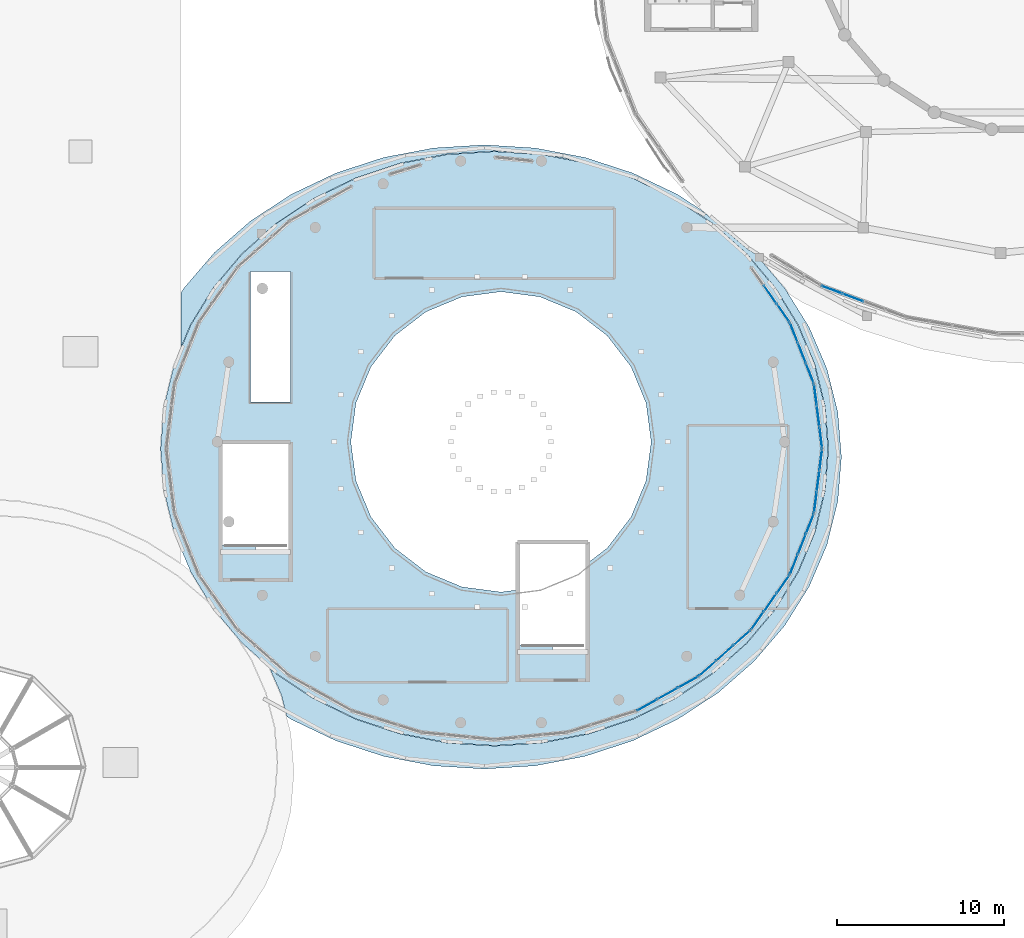
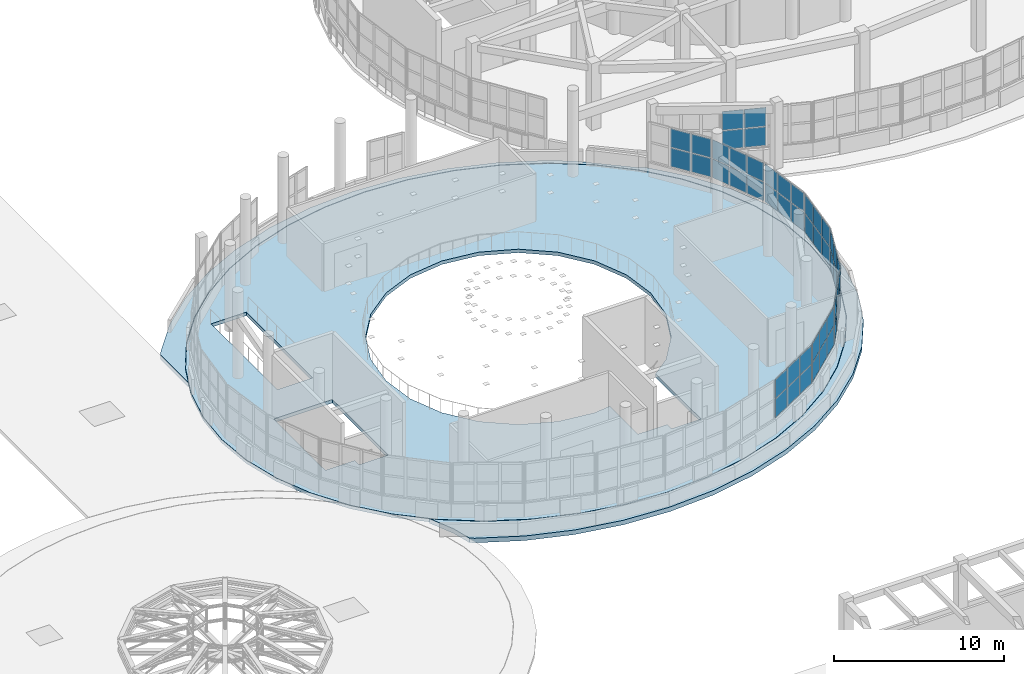
# One storey, part 71 of 105: 50 plates, 2 slabs, 9 elements without a shape of their own.
"""IFC4 building model written with IfcOpenShell, lengths in metres."""

import ifcopenshell
import ifcopenshell.guid

model = None  # the IFC model being written
_history = None  # IfcOwnerHistory: only IFC2X3 demands one
_inside = {}  # id of a spatial element -> (the spatial element, [elements in it])
_under = {}  # id of a project, library or spatial element -> (it, [spatial elements below it])
_declared = {}  # id of a project -> (the project, [libraries it declares])
_typed = {}  # id of a type object -> (the type object, [elements of that type])
_made_of = {}  # id of a material, layer set ... -> (it, [elements and type objects made of it])


def new_model(schema):
    """Start an empty IFC model of exactly this schema.

    Asked for "IFC4X3", IfcOpenShell would pick the latest addendum, in which some entities
    have other attributes; the version numbers below select the first issue.
    IFC2X3 requires an IfcOwnerHistory on every rooted entity: one is made here for all.
    """
    global model, _history
    if schema == "IFC4X3":
        model = ifcopenshell.file(schema_version=(4, 3, 0, 0))
    else:
        model = ifcopenshell.file(schema=schema)
    _inside.clear()
    _under.clear()
    _declared.clear()
    _typed.clear()
    _made_of.clear()
    _history = None
    if model.schema == "IFC2X3":
        org = make("IfcOrganization", Name="unknown")
        user = make(
            "IfcPersonAndOrganization",
            ThePerson=make("IfcPerson", FamilyName="unknown"),
            TheOrganization=org,
        )
        app = make(
            "IfcApplication",
            ApplicationDeveloper=org,
            Version="unknown",
            ApplicationFullName="unknown",
            ApplicationIdentifier="unknown",
        )
        _history = make(
            "IfcOwnerHistory",
            OwningUser=user,
            OwningApplication=app,
            ChangeAction="ADDED",
            CreationDate=0,
        )
    return model


def make(cls, **values):
    """One entity of the class cls with the attributes given. An attribute that is None is left unset."""
    return model.create_entity(
        cls, **{name: value for name, value in values.items() if value is not None}
    )


def rooted(cls, **values):
    """An entity with a GlobalId (a new one), such as an element, a storey or a relation."""
    return make(cls, GlobalId=ifcopenshell.guid.new(), OwnerHistory=_history, **values)


def si_unit(unit_type, name, prefix=None):
    """IfcSIUnit, for example si_unit("LENGTHUNIT", "METRE", prefix="MILLI")."""
    return make("IfcSIUnit", UnitType=unit_type, Prefix=prefix, Name=name)


def assignment(units):
    """IfcUnitAssignment: the units of a project."""
    return None if units is None else make("IfcUnitAssignment", Units=units)


def point(xyz):
    """IfcCartesianPoint."""
    return None if xyz is None else make("IfcCartesianPoint", Coordinates=xyz)


def direction(xyz):
    """IfcDirection."""
    return None if xyz is None else make("IfcDirection", DirectionRatios=xyz)


def frame(location, z_axis=None, x_axis=None):
    """IfcAxis2Placement3D, a coordinate frame: its origin and axes. An axis left out is left unset."""
    return make(
        "IfcAxis2Placement3D",
        Location=point(location),
        Axis=direction(z_axis),
        RefDirection=direction(x_axis),
    )


def frame_2d(location, x_axis=None):
    """IfcAxis2Placement2D, a coordinate frame in the plane: its origin and x axis."""
    return make(
        "IfcAxis2Placement2D", Location=point(location), RefDirection=direction(x_axis)
    )


def origin():
    """The frame at (0, 0, 0) with its axes left unset."""
    return frame((0.0, 0.0, 0.0))


def origin_2d():
    """The frame at (0, 0) in the plane with its x axis left unset."""
    return frame_2d((0.0, 0.0))


def place(relative_to, where):
    """IfcLocalPlacement: puts the frame where relative to a parent placement (None: the world)."""
    return make(
        "IfcLocalPlacement", PlacementRelTo=relative_to, RelativePlacement=where
    )


def context(
    kind, dimensions, precision=None, world=None, true_north=None, identifier=None
):
    """IfcGeometricRepresentationContext, for example the 3D "Model" context."""
    return make(
        "IfcGeometricRepresentationContext",
        ContextIdentifier=identifier,
        ContextType=kind,
        CoordinateSpaceDimension=dimensions,
        Precision=precision,
        WorldCoordinateSystem=world,
        TrueNorth=true_north,
    )


def subcontext(parent, identifier, kind, view, scale=None):
    """IfcGeometricRepresentationSubContext, for example "Body" below "Model"."""
    return make(
        "IfcGeometricRepresentationSubContext",
        ContextIdentifier=identifier,
        ContextType=kind,
        ParentContext=parent,
        TargetScale=scale,
        TargetView=view,
    )


def project(units=None, contexts=None):
    """IfcProject with its units and contexts."""
    return rooted(
        "IfcProject",
        Name="project",
        RepresentationContexts=contexts,
        UnitsInContext=assignment(units),
    )


def spatial(cls, under=None, at=None, **own):
    """A site, building, storey or space (cls), placed at a placement, below another one or the project."""
    s = rooted(cls, ObjectPlacement=at, **own)
    if under is not None:
        _under.setdefault(under.id(), (under, []))[1].append(s)
    return s


def polyline(points):
    """IfcPolyline through the points."""
    return make("IfcPolyline", Points=[point(p) for p in points])


def profile(cls, at=None, kind="AREA", **sizes):
    """A parametric profile (cls). Its sizes go by their IFC names, for example OverallWidth=200.0."""
    return make(cls, ProfileType=kind, Position=at, **sizes)


def rectangle(**sizes):
    """IfcRectangleProfileDef."""
    return profile("IfcRectangleProfileDef", **sizes)


def outline(outer, holes=None, kind="AREA"):
    """IfcArbitraryClosedProfileDef: a profile drawn as a closed curve; with holes, ...WithVoids."""
    if holes is None:
        return make("IfcArbitraryClosedProfileDef", ProfileType=kind, OuterCurve=outer)
    return make(
        "IfcArbitraryProfileDefWithVoids",
        ProfileType=kind,
        OuterCurve=outer,
        InnerCurves=holes,
    )


def extrude(swept, where, along, depth):
    """IfcExtrudedAreaSolid: the profile swept, set in the frame where, extruded along a direction by depth."""
    return make(
        "IfcExtrudedAreaSolid",
        SweptArea=swept,
        Position=where,
        ExtrudedDirection=direction(along),
        Depth=depth,
    )


def shape(context_of_items, identifier, shape_type, items):
    """IfcShapeRepresentation: the items that make up one representation, for example the "Body"."""
    return make(
        "IfcShapeRepresentation",
        ContextOfItems=context_of_items,
        RepresentationIdentifier=identifier,
        RepresentationType=shape_type,
        Items=items,
    )


def material(Name=None, Category=None):
    """IfcMaterial."""
    return make("IfcMaterial", Name=Name, Category=Category)


def layer(
    of_material, thickness, ventilated=None, Name=None, Category=None, Priority=None
):
    """IfcMaterialLayer: one layer of a wall or slab, of a material (None: an air gap)."""
    return make(
        "IfcMaterialLayer",
        Material=of_material,
        LayerThickness=thickness,
        IsVentilated=ventilated,
        Name=Name,
        Category=Category,
        Priority=Priority,
    )


def layer_set(layers, Name=None):
    """IfcMaterialLayerSet."""
    return make("IfcMaterialLayerSet", MaterialLayers=layers, LayerSetName=Name)


def made_of(thing, what):
    """Note that an element or type object is made of a material, layer set ...; save() writes the relation."""
    if what is not None:
        _made_of.setdefault(what.id(), (what, []))[1].append(thing)
    return thing


def type_object(cls, material=None, **own):
    """A type object (cls), such as IfcWallType, which elements share."""
    return made_of(rooted(cls, **own), material)


def element(
    cls,
    number,
    at=None,
    inside=None,
    cuts=None,
    type_object=None,
    material=None,
    context=None,
    identifier="Body",
    shape_type=None,
    held_by="IfcProductDefinitionShape",
    body=None,
    shapes=None,
    **own,
):
    """One element of the class cls, such as IfcWall. Its Tag is "e" and its number.

    at: its placement. inside: the storey or other place that contains it. cuts: it is an
    opening in that element (IfcRelVoidsElement). A single representation is given by context,
    identifier, shape_type and body (its items); several are given by shapes. held_by: the class
    of the entity that holds the representations. save() writes the other relations.
    """
    e = rooted(cls, Tag="e%d" % number, ObjectPlacement=at, **own)
    if body is not None:
        shapes = [shape(context, identifier, shape_type, body)]
    if shapes is not None:
        e.Representation = make(held_by, Representations=shapes)
    if inside is not None:
        _inside.setdefault(inside.id(), (inside, []))[1].append(e)
    if cuts is not None:
        rooted(
            "IfcRelVoidsElement", RelatingBuildingElement=cuts, RelatedOpeningElement=e
        )
    if type_object is not None:
        _typed.setdefault(type_object.id(), (type_object, []))[1].append(e)
    return made_of(e, material)


def aggregate(whole, parts):
    """IfcRelAggregates: a whole, such as a stair, and the parts it consists of."""
    return rooted("IfcRelAggregates", RelatingObject=whole, RelatedObjects=parts)


def save(model, path):
    """Write the relations noted so far, then the file.

    IfcRelAggregates (storeys below a building ...), IfcRelContainedInSpatialStructure (elements
    in a storey), IfcRelDefinesByType, IfcRelAssociatesMaterial and IfcRelDeclares: one each for
    every whole, place, type object, material and project.
    """
    for whole, parts in _under.values():
        aggregate(whole, parts)
    for where, things in _inside.values():
        rooted(
            "IfcRelContainedInSpatialStructure",
            RelatedElements=things,
            RelatingStructure=where,
        )
    for kind, things in _typed.values():
        rooted("IfcRelDefinesByType", RelatedObjects=things, RelatingType=kind)
    for what, things in _made_of.values():
        rooted("IfcRelAssociatesMaterial", RelatedObjects=things, RelatingMaterial=what)
    for by, libraries in _declared.values():
        rooted("IfcRelDeclares", RelatingContext=by, RelatedDefinitions=libraries)
    model.write(path)


model = new_model("IFC4")

# Units and contexts
model_context = context("Model", 3, precision=1e-05, world=origin(), true_north=direction((0.0, 1.0)))
body_context = subcontext(model_context, "Body", "Model", "MODEL_VIEW")
ifc_project = project(units=[si_unit("LENGTHUNIT", "METRE"), si_unit("AREAUNIT", "SQUARE_METRE"), si_unit("VOLUMEUNIT", "CUBIC_METRE"), si_unit("PLANEANGLEUNIT", "RADIAN"), si_unit("MASSUNIT", "GRAM", prefix="KILO")], contexts=[model_context])

# Site, building, storey
site_placement = place(None, origin())
site = spatial("IfcSite", under=ifc_project, at=site_placement, CompositionType="ELEMENT")
building_placement = place(site_placement, origin())
building = spatial("IfcBuilding", under=site, at=building_placement, Name="Pelvatis Terrace Science Centre", CompositionType="ELEMENT")
storey_placement = place(building_placement, frame((0.0, 0.0, 10.199951171875)))
storey = spatial("IfcBuildingStorey", under=building, at=storey_placement, Name="L02", CompositionType="ELEMENT", Elevation=10.199951171875)

# Curtain wall, plates
ifc_material_1 = material(Name="Bronze-anodised aluminium and laminated glass", Category="aluminium")
ifc_layer_1 = layer(ifc_material_1, 0.179931640625)
ifc_layer_set_1 = layer_set([ifc_layer_1], Name="Bronze-anodised aluminium and laminated glass")
curtain_wall_type = type_object("IfcCurtainWallType", Name="CW-RIBBON-A", PredefinedType="NOTDEFINED", material=ifc_layer_set_1)
curtain_wall_1_placement = place(storey_placement, origin())
curtain_wall_1 = element("IfcCurtainWall", 1, at=curtain_wall_1_placement, inside=storey, type_object=curtain_wall_type, Name="Ribbon curtain wall CW-077 (L02)", PredefinedType="NOTDEFINED")
ifc_material_2 = material(Name="Low-e laminated solar-control double glazing", Category="glass")
ifc_layer_2 = layer(ifc_material_2, 0.035888671875)
ifc_layer_set_2 = layer_set([ifc_layer_2], Name="Low-e laminated solar-control double glazing")
plate_type = type_object("IfcPlateType", Name="CWP-IGU-36", PredefinedType="CURTAIN_PANEL", material=ifc_layer_set_2)
plate_1_placement = place(storey_placement, frame((97.166015625, 54.862060546875, 1.080078125), z_axis=(0.0, 0.0, 1.0), x_axis=(-0.125877152665, 0.992045836863, 0.0)))
plate_1 = element("IfcPlate", 2, at=plate_1_placement, type_object=plate_type, Name="CW-077 panel 1.1", PredefinedType="CURTAIN_PANEL", context=body_context, shape_type="SweptSolid", body=[
    extrude(rectangle(XDim=1.214599609375, YDim=0.035888671875, at=origin_2d()), origin(), (0.0, 0.0, 1.0), 1.330078125),
])
plate_2_placement = place(storey_placement, frame((97.166015625, 54.862060546875, 2.469970703125), z_axis=(0.0, 0.0, 1.0), x_axis=(-0.125877152665, 0.992045836863, 0.0)))
plate_2 = element("IfcPlate", 3, at=plate_2_placement, type_object=plate_type, Name="CW-077 panel 1.2", PredefinedType="CURTAIN_PANEL", context=body_context, shape_type="SweptSolid", body=[
    extrude(rectangle(XDim=1.214599609375, YDim=0.035888671875, at=origin_2d()), origin(), (0.0, 0.0, 1.0), 1.330078125),
])
plate_3_placement = place(storey_placement, frame((97.003662109375, 56.1416015625, 1.080078125), z_axis=(0.0, 0.0, 1.0), x_axis=(-0.125877152665, 0.992045836863, 0.0)))
plate_3 = element("IfcPlate", 4, at=plate_3_placement, type_object=plate_type, Name="CW-077 panel 2.1", PredefinedType="CURTAIN_PANEL", context=body_context, shape_type="SweptSolid", body=[
    extrude(rectangle(XDim=1.24462890625, YDim=0.035888671875, at=origin_2d()), origin(), (0.0, 0.0, 1.0), 1.330078125),
])
plate_4_placement = place(storey_placement, frame((97.003662109375, 56.1416015625, 2.469970703125), z_axis=(0.0, 0.0, 1.0), x_axis=(-0.125877152665, 0.992045836863, 0.0)))
plate_4 = element("IfcPlate", 5, at=plate_4_placement, type_object=plate_type, Name="CW-077 panel 2.2", PredefinedType="CURTAIN_PANEL", context=body_context, shape_type="SweptSolid", body=[
    extrude(rectangle(XDim=1.24462890625, YDim=0.035888671875, at=origin_2d()), origin(), (0.0, 0.0, 1.0), 1.330078125),
])
plate_5_placement = place(storey_placement, frame((96.84130859375, 57.4208984375, 1.080078125), z_axis=(0.0, 0.0, 1.0), x_axis=(-0.125877152665, 0.992045836863, 0.0)))
plate_5 = element("IfcPlate", 6, at=plate_5_placement, type_object=plate_type, Name="CW-077 panel 3.1", PredefinedType="CURTAIN_PANEL", context=body_context, shape_type="SweptSolid", body=[
    extrude(rectangle(XDim=1.214599609375, YDim=0.035888671875, at=origin_2d()), origin(), (0.0, 0.0, 1.0), 1.330078125),
])
plate_6_placement = place(storey_placement, frame((96.84130859375, 57.4208984375, 2.469970703125), z_axis=(0.0, 0.0, 1.0), x_axis=(-0.125877152665, 0.992045836863, 0.0)))
plate_6 = element("IfcPlate", 7, at=plate_6_placement, type_object=plate_type, Name="CW-077 panel 3.2", PredefinedType="CURTAIN_PANEL", context=body_context, shape_type="SweptSolid", body=[
    extrude(rectangle(XDim=1.214599609375, YDim=0.035888671875, at=origin_2d()), origin(), (0.0, 0.0, 1.0), 1.330078125),
])
aggregate(curtain_wall_1, [plate_1, plate_2, plate_3, plate_4, plate_5, plate_6])

curtain_wall_2_placement = place(storey_placement, origin())
curtain_wall_2 = element("IfcCurtainWall", 8, at=curtain_wall_2_placement, inside=storey, type_object=curtain_wall_type, Name="Ribbon curtain wall CW-078 (L02)", PredefinedType="NOTDEFINED")
plate_7_placement = place(storey_placement, frame((96.509521484375, 58.711669921875, 1.080078125), z_axis=(0.0, 0.0, 1.0), x_axis=(-0.366597305287, 0.930379715899, 0.0)))
plate_7 = element("IfcPlate", 9, at=plate_7_placement, type_object=plate_type, Name="CW-078 panel 1.1", PredefinedType="CURTAIN_PANEL", context=body_context, shape_type="SweptSolid", body=[
    extrude(rectangle(XDim=1.2314453125, YDim=0.035888671875, at=origin_2d()), origin(), (0.0, 0.0, 1.0), 1.330078125),
])
plate_8_placement = place(storey_placement, frame((96.509521484375, 58.711669921875, 2.469970703125), z_axis=(0.0, 0.0, 1.0), x_axis=(-0.366597305287, 0.930379715899, 0.0)))
plate_8 = element("IfcPlate", 10, at=plate_8_placement, type_object=plate_type, Name="CW-078 panel 1.2", PredefinedType="CURTAIN_PANEL", context=body_context, shape_type="SweptSolid", body=[
    extrude(rectangle(XDim=1.2314453125, YDim=0.035888671875, at=origin_2d()), origin(), (0.0, 0.0, 1.0), 1.330078125),
])
plate_9_placement = place(storey_placement, frame((96.03076171875, 59.92724609375, 1.080078125), z_axis=(0.0, 0.0, 1.0), x_axis=(-0.366597305287, 0.930379715899, 0.0)))
plate_9 = element("IfcPlate", 11, at=plate_9_placement, type_object=plate_type, Name="CW-078 panel 2.1", PredefinedType="CURTAIN_PANEL", context=body_context, shape_type="SweptSolid", body=[
    extrude(rectangle(XDim=1.261474609375, YDim=0.035888671875, at=origin_2d()), origin(), (0.0, 0.0, 1.0), 1.330078125),
])
plate_10_placement = place(storey_placement, frame((96.03076171875, 59.92724609375, 2.469970703125), z_axis=(0.0, 0.0, 1.0), x_axis=(-0.366597305287, 0.930379715899, 0.0)))
plate_10 = element("IfcPlate", 12, at=plate_10_placement, type_object=plate_type, Name="CW-078 panel 2.2", PredefinedType="CURTAIN_PANEL", context=body_context, shape_type="SweptSolid", body=[
    extrude(rectangle(XDim=1.261474609375, YDim=0.035888671875, at=origin_2d()), origin(), (0.0, 0.0, 1.0), 1.330078125),
])
plate_11_placement = place(storey_placement, frame((95.5517578125, 61.142578125, 1.080078125), z_axis=(0.0, 0.0, 1.0), x_axis=(-0.366597305287, 0.930379715899, 0.0)))
plate_11 = element("IfcPlate", 13, at=plate_11_placement, type_object=plate_type, Name="CW-078 panel 3.1", PredefinedType="CURTAIN_PANEL", context=body_context, shape_type="SweptSolid", body=[
    extrude(rectangle(XDim=1.2314453125, YDim=0.035888671875, at=origin_2d()), origin(), (0.0, 0.0, 1.0), 1.330078125),
])
plate_12_placement = place(storey_placement, frame((95.5517578125, 61.142578125, 2.469970703125), z_axis=(0.0, 0.0, 1.0), x_axis=(-0.366597305287, 0.930379715899, 0.0)))
plate_12 = element("IfcPlate", 14, at=plate_12_placement, type_object=plate_type, Name="CW-078 panel 3.2", PredefinedType="CURTAIN_PANEL", context=body_context, shape_type="SweptSolid", body=[
    extrude(rectangle(XDim=1.2314453125, YDim=0.035888671875, at=origin_2d()), origin(), (0.0, 0.0, 1.0), 1.330078125),
])
aggregate(curtain_wall_2, [plate_7, plate_8, plate_9, plate_10, plate_11, plate_12])

curtain_wall_3_placement = place(storey_placement, origin())
curtain_wall_3 = element("IfcCurtainWall", 15, at=curtain_wall_3_placement, inside=storey, type_object=curtain_wall_type, Name="Ribbon curtain wall CW-079 (L02)", PredefinedType="NOTDEFINED")
plate_13_placement = place(storey_placement, frame((94.9052734375, 62.3349609375, 1.080078125), z_axis=(0.0, 0.0, 1.0), x_axis=(-0.57759146286, 0.8163259778, 0.0)))
plate_13 = element("IfcPlate", 16, at=plate_13_placement, type_object=plate_type, Name="CW-079 panel 1.1", PredefinedType="CURTAIN_PANEL", context=body_context, shape_type="SweptSolid", body=[
    extrude(rectangle(XDim=1.260986328125, YDim=0.035888671875, at=origin_2d()), origin(), (0.0, 0.0, 1.0), 1.330078125),
])
plate_14_placement = place(storey_placement, frame((94.9052734375, 62.3349609375, 2.469970703125), z_axis=(0.0, 0.0, 1.0), x_axis=(-0.57759146286, 0.8163259778, 0.0)))
plate_14 = element("IfcPlate", 17, at=plate_14_placement, type_object=plate_type, Name="CW-079 panel 1.2", PredefinedType="CURTAIN_PANEL", context=body_context, shape_type="SweptSolid", body=[
    extrude(rectangle(XDim=1.260986328125, YDim=0.035888671875, at=origin_2d()), origin(), (0.0, 0.0, 1.0), 1.330078125),
])
plate_15_placement = place(storey_placement, frame((94.133544921875, 63.425537109375, 1.080078125), z_axis=(0.0, 0.0, 1.0), x_axis=(-0.57759146286, 0.8163259778, 0.0)))
plate_15 = element("IfcPlate", 18, at=plate_15_placement, type_object=plate_type, Name="CW-079 panel 2.1", PredefinedType="CURTAIN_PANEL", context=body_context, shape_type="SweptSolid", body=[
    extrude(rectangle(XDim=1.291015625, YDim=0.035888671875, at=origin_2d()), origin(), (0.0, 0.0, 1.0), 1.330078125),
])
plate_16_placement = place(storey_placement, frame((94.133544921875, 63.425537109375, 2.469970703125), z_axis=(0.0, 0.0, 1.0), x_axis=(-0.57759146286, 0.8163259778, 0.0)))
plate_16 = element("IfcPlate", 19, at=plate_16_placement, type_object=plate_type, Name="CW-079 panel 2.2", PredefinedType="CURTAIN_PANEL", context=body_context, shape_type="SweptSolid", body=[
    extrude(rectangle(XDim=1.291015625, YDim=0.035888671875, at=origin_2d()), origin(), (0.0, 0.0, 1.0), 1.330078125),
])
aggregate(curtain_wall_3, [plate_13, plate_14, plate_15, plate_16])

curtain_wall_4_placement = place(storey_placement, origin())
curtain_wall_4 = element("IfcCurtainWall", 20, at=curtain_wall_4_placement, inside=storey, type_object=curtain_wall_type, Name="Ribbon curtain wall CW-096 (L02)", PredefinedType="NOTDEFINED")
plate_17_placement = place(storey_placement, frame((86.759765625, 38.831787109375, 1.080078125), z_axis=(0.0, 0.0, 1.0), x_axis=(0.87325916589, 0.487256020167, 0.0)))
plate_17 = element("IfcPlate", 21, at=plate_17_placement, type_object=plate_type, Name="CW-096 panel 1.1", PredefinedType="CURTAIN_PANEL", context=body_context, shape_type="SweptSolid", body=[
    extrude(rectangle(XDim=1.332275390625, YDim=0.035888671875, at=origin_2d()), origin(), (0.0, 0.0, 1.0), 1.330078125),
])
plate_18_placement = place(storey_placement, frame((86.759765625, 38.831787109375, 2.469970703125), z_axis=(0.0, 0.0, 1.0), x_axis=(0.87325916589, 0.487256020167, 0.0)))
plate_18 = element("IfcPlate", 22, at=plate_18_placement, type_object=plate_type, Name="CW-096 panel 1.2", PredefinedType="CURTAIN_PANEL", context=body_context, shape_type="SweptSolid", body=[
    extrude(rectangle(XDim=1.332275390625, YDim=0.035888671875, at=origin_2d()), origin(), (0.0, 0.0, 1.0), 1.330078125),
])
plate_19_placement = place(storey_placement, frame((87.98876953125, 39.517578125, 1.080078125), z_axis=(0.0, 0.0, 1.0), x_axis=(0.87325916589, 0.487256020167, 0.0)))
plate_19 = element("IfcPlate", 23, at=plate_19_placement, type_object=plate_type, Name="CW-096 panel 2.1", PredefinedType="CURTAIN_PANEL", context=body_context, shape_type="SweptSolid", body=[
    extrude(rectangle(XDim=1.362060546875, YDim=0.035888671875, at=origin_2d()), origin(), (0.0, 0.0, 1.0), 1.330078125),
])
plate_20_placement = place(storey_placement, frame((87.98876953125, 39.517578125, 2.469970703125), z_axis=(0.0, 0.0, 1.0), x_axis=(0.87325916589, 0.487256020167, 0.0)))
plate_20 = element("IfcPlate", 24, at=plate_20_placement, type_object=plate_type, Name="CW-096 panel 2.2", PredefinedType="CURTAIN_PANEL", context=body_context, shape_type="SweptSolid", body=[
    extrude(rectangle(XDim=1.362060546875, YDim=0.035888671875, at=origin_2d()), origin(), (0.0, 0.0, 1.0), 1.330078125),
])
plate_21_placement = place(storey_placement, frame((89.217529296875, 40.203125, 1.080078125), z_axis=(0.0, 0.0, 1.0), x_axis=(0.87325916589, 0.487256020167, 0.0)))
plate_21 = element("IfcPlate", 25, at=plate_21_placement, type_object=plate_type, Name="CW-096 panel 3.1", PredefinedType="CURTAIN_PANEL", context=body_context, shape_type="SweptSolid", body=[
    extrude(rectangle(XDim=1.332275390625, YDim=0.035888671875, at=origin_2d()), origin(), (0.0, 0.0, 1.0), 1.330078125),
])
plate_22_placement = place(storey_placement, frame((89.217529296875, 40.203125, 2.469970703125), z_axis=(0.0, 0.0, 1.0), x_axis=(0.87325916589, 0.487256020167, 0.0)))
plate_22 = element("IfcPlate", 26, at=plate_22_placement, type_object=plate_type, Name="CW-096 panel 3.2", PredefinedType="CURTAIN_PANEL", context=body_context, shape_type="SweptSolid", body=[
    extrude(rectangle(XDim=1.332275390625, YDim=0.035888671875, at=origin_2d()), origin(), (0.0, 0.0, 1.0), 1.330078125),
])
aggregate(curtain_wall_4, [plate_17, plate_18, plate_19, plate_20, plate_21, plate_22])

curtain_wall_5_placement = place(storey_placement, origin())
curtain_wall_5 = element("IfcCurtainWall", 27, at=curtain_wall_5_placement, inside=storey, type_object=curtain_wall_type, Name="Ribbon curtain wall CW-097 (L02)", PredefinedType="NOTDEFINED")
plate_23_placement = place(storey_placement, frame((90.38134765625, 41.027587890625, 1.080078125), z_axis=(0.0, 0.0, 1.0), x_axis=(0.747718167808, 0.664016220834, 0.0)))
plate_23 = element("IfcPlate", 28, at=plate_23_placement, type_object=plate_type, Name="CW-097 panel 1.1", PredefinedType="CURTAIN_PANEL", context=body_context, shape_type="SweptSolid", body=[
    extrude(rectangle(XDim=1.297119140625, YDim=0.035888671875, at=origin_2d()), origin(), (0.0, 0.0, 1.0), 1.330078125),
])
plate_24_placement = place(storey_placement, frame((90.38134765625, 41.027587890625, 2.469970703125), z_axis=(0.0, 0.0, 1.0), x_axis=(0.747718167808, 0.664016220834, 0.0)))
plate_24 = element("IfcPlate", 29, at=plate_24_placement, type_object=plate_type, Name="CW-097 panel 1.2", PredefinedType="CURTAIN_PANEL", context=body_context, shape_type="SweptSolid", body=[
    extrude(rectangle(XDim=1.297119140625, YDim=0.035888671875, at=origin_2d()), origin(), (0.0, 0.0, 1.0), 1.330078125),
])
plate_25_placement = place(storey_placement, frame((91.4072265625, 41.9384765625, 1.080078125), z_axis=(0.0, 0.0, 1.0), x_axis=(0.747718167808, 0.664016220834, 0.0)))
plate_25 = element("IfcPlate", 30, at=plate_25_placement, type_object=plate_type, Name="CW-097 panel 2.1", PredefinedType="CURTAIN_PANEL", context=body_context, shape_type="SweptSolid", body=[
    extrude(rectangle(XDim=1.3271484375, YDim=0.035888671875, at=origin_2d()), origin(), (0.0, 0.0, 1.0), 1.330078125),
])
plate_26_placement = place(storey_placement, frame((91.4072265625, 41.9384765625, 2.469970703125), z_axis=(0.0, 0.0, 1.0), x_axis=(0.747718167808, 0.664016220834, 0.0)))
plate_26 = element("IfcPlate", 31, at=plate_26_placement, type_object=plate_type, Name="CW-097 panel 2.2", PredefinedType="CURTAIN_PANEL", context=body_context, shape_type="SweptSolid", body=[
    extrude(rectangle(XDim=1.3271484375, YDim=0.035888671875, at=origin_2d()), origin(), (0.0, 0.0, 1.0), 1.330078125),
])
plate_27_placement = place(storey_placement, frame((92.43310546875, 42.849609375, 1.080078125), z_axis=(0.0, 0.0, 1.0), x_axis=(0.747718167808, 0.664016220834, 0.0)))
plate_27 = element("IfcPlate", 32, at=plate_27_placement, type_object=plate_type, Name="CW-097 panel 3.1", PredefinedType="CURTAIN_PANEL", context=body_context, shape_type="SweptSolid", body=[
    extrude(rectangle(XDim=1.297119140625, YDim=0.035888671875, at=origin_2d()), origin(), (0.0, 0.0, 1.0), 1.330078125),
])
plate_28_placement = place(storey_placement, frame((92.43310546875, 42.849609375, 2.469970703125), z_axis=(0.0, 0.0, 1.0), x_axis=(0.747718167808, 0.664016220834, 0.0)))
plate_28 = element("IfcPlate", 33, at=plate_28_placement, type_object=plate_type, Name="CW-097 panel 3.2", PredefinedType="CURTAIN_PANEL", context=body_context, shape_type="SweptSolid", body=[
    extrude(rectangle(XDim=1.297119140625, YDim=0.035888671875, at=origin_2d()), origin(), (0.0, 0.0, 1.0), 1.330078125),
])
aggregate(curtain_wall_5, [plate_23, plate_24, plate_25, plate_26, plate_27, plate_28])

curtain_wall_6_placement = place(storey_placement, origin())
curtain_wall_6 = element("IfcCurtainWall", 34, at=curtain_wall_6_placement, inside=storey, type_object=curtain_wall_type, Name="Ribbon curtain wall CW-098 (L02)", PredefinedType="NOTDEFINED")
plate_29_placement = place(storey_placement, frame((93.36181640625, 43.8837890625, 1.080078125), z_axis=(0.0, 0.0, 1.0), x_axis=(0.57759146286, 0.8163259778, 0.0)))
plate_29 = element("IfcPlate", 35, at=plate_29_placement, type_object=plate_type, Name="CW-098 panel 1.1", PredefinedType="CURTAIN_PANEL", context=body_context, shape_type="SweptSolid", body=[
    extrude(rectangle(XDim=1.260986328125, YDim=0.035888671875, at=origin_2d()), origin(), (0.0, 0.0, 1.0), 1.330078125),
])
plate_30_placement = place(storey_placement, frame((93.36181640625, 43.8837890625, 2.469970703125), z_axis=(0.0, 0.0, 1.0), x_axis=(0.57759146286, 0.8163259778, 0.0)))
plate_30 = element("IfcPlate", 36, at=plate_30_placement, type_object=plate_type, Name="CW-098 panel 1.2", PredefinedType="CURTAIN_PANEL", context=body_context, shape_type="SweptSolid", body=[
    extrude(rectangle(XDim=1.260986328125, YDim=0.035888671875, at=origin_2d()), origin(), (0.0, 0.0, 1.0), 1.330078125),
])
plate_31_placement = place(storey_placement, frame((94.133544921875, 44.974365234375, 1.080078125), z_axis=(0.0, 0.0, 1.0), x_axis=(0.57759146286, 0.8163259778, 0.0)))
plate_31 = element("IfcPlate", 37, at=plate_31_placement, type_object=plate_type, Name="CW-098 panel 2.1", PredefinedType="CURTAIN_PANEL", context=body_context, shape_type="SweptSolid", body=[
    extrude(rectangle(XDim=1.291015625, YDim=0.035888671875, at=origin_2d()), origin(), (0.0, 0.0, 1.0), 1.330078125),
])
plate_32_placement = place(storey_placement, frame((94.133544921875, 44.974365234375, 2.469970703125), z_axis=(0.0, 0.0, 1.0), x_axis=(0.57759146286, 0.8163259778, 0.0)))
plate_32 = element("IfcPlate", 38, at=plate_32_placement, type_object=plate_type, Name="CW-098 panel 2.2", PredefinedType="CURTAIN_PANEL", context=body_context, shape_type="SweptSolid", body=[
    extrude(rectangle(XDim=1.291015625, YDim=0.035888671875, at=origin_2d()), origin(), (0.0, 0.0, 1.0), 1.330078125),
])
plate_33_placement = place(storey_placement, frame((94.9052734375, 46.06494140625, 1.080078125), z_axis=(0.0, 0.0, 1.0), x_axis=(0.57759146286, 0.8163259778, 0.0)))
plate_33 = element("IfcPlate", 39, at=plate_33_placement, type_object=plate_type, Name="CW-098 panel 3.1", PredefinedType="CURTAIN_PANEL", context=body_context, shape_type="SweptSolid", body=[
    extrude(rectangle(XDim=1.260986328125, YDim=0.035888671875, at=origin_2d()), origin(), (0.0, 0.0, 1.0), 1.330078125),
])
plate_34_placement = place(storey_placement, frame((94.9052734375, 46.06494140625, 2.469970703125), z_axis=(0.0, 0.0, 1.0), x_axis=(0.57759146286, 0.8163259778, 0.0)))
plate_34 = element("IfcPlate", 40, at=plate_34_placement, type_object=plate_type, Name="CW-098 panel 3.2", PredefinedType="CURTAIN_PANEL", context=body_context, shape_type="SweptSolid", body=[
    extrude(rectangle(XDim=1.260986328125, YDim=0.035888671875, at=origin_2d()), origin(), (0.0, 0.0, 1.0), 1.330078125),
])
aggregate(curtain_wall_6, [plate_29, plate_30, plate_31, plate_32, plate_33, plate_34])

curtain_wall_7_placement = place(storey_placement, origin())
curtain_wall_7 = element("IfcCurtainWall", 41, at=curtain_wall_7_placement, inside=storey, type_object=curtain_wall_type, Name="Ribbon curtain wall CW-099 (L02)", PredefinedType="NOTDEFINED")
plate_35_placement = place(storey_placement, frame((95.5517578125, 47.25732421875, 1.080078125), z_axis=(0.0, 0.0, 1.0), x_axis=(0.366597305287, 0.930379715899, 0.0)))
plate_35 = element("IfcPlate", 42, at=plate_35_placement, type_object=plate_type, Name="CW-099 panel 1.1", PredefinedType="CURTAIN_PANEL", context=body_context, shape_type="SweptSolid", body=[
    extrude(rectangle(XDim=1.2314453125, YDim=0.035888671875, at=origin_2d()), origin(), (0.0, 0.0, 1.0), 1.330078125),
])
plate_36_placement = place(storey_placement, frame((95.5517578125, 47.25732421875, 2.469970703125), z_axis=(0.0, 0.0, 1.0), x_axis=(0.366597305287, 0.930379715899, 0.0)))
plate_36 = element("IfcPlate", 43, at=plate_36_placement, type_object=plate_type, Name="CW-099 panel 1.2", PredefinedType="CURTAIN_PANEL", context=body_context, shape_type="SweptSolid", body=[
    extrude(rectangle(XDim=1.2314453125, YDim=0.035888671875, at=origin_2d()), origin(), (0.0, 0.0, 1.0), 1.330078125),
])
plate_37_placement = place(storey_placement, frame((96.03076171875, 48.472900390625, 1.080078125), z_axis=(0.0, 0.0, 1.0), x_axis=(0.366597305287, 0.930379715899, 0.0)))
plate_37 = element("IfcPlate", 44, at=plate_37_placement, type_object=plate_type, Name="CW-099 panel 2.1", PredefinedType="CURTAIN_PANEL", context=body_context, shape_type="SweptSolid", body=[
    extrude(rectangle(XDim=1.261474609375, YDim=0.035888671875, at=origin_2d()), origin(), (0.0, 0.0, 1.0), 1.330078125),
])
plate_38_placement = place(storey_placement, frame((96.03076171875, 48.472900390625, 2.469970703125), z_axis=(0.0, 0.0, 1.0), x_axis=(0.366597305287, 0.930379715899, 0.0)))
plate_38 = element("IfcPlate", 45, at=plate_38_placement, type_object=plate_type, Name="CW-099 panel 2.2", PredefinedType="CURTAIN_PANEL", context=body_context, shape_type="SweptSolid", body=[
    extrude(rectangle(XDim=1.261474609375, YDim=0.035888671875, at=origin_2d()), origin(), (0.0, 0.0, 1.0), 1.330078125),
])
plate_39_placement = place(storey_placement, frame((96.509521484375, 49.688232421875, 1.080078125), z_axis=(0.0, 0.0, 1.0), x_axis=(0.366597305287, 0.930379715899, 0.0)))
plate_39 = element("IfcPlate", 46, at=plate_39_placement, type_object=plate_type, Name="CW-099 panel 3.1", PredefinedType="CURTAIN_PANEL", context=body_context, shape_type="SweptSolid", body=[
    extrude(rectangle(XDim=1.2314453125, YDim=0.035888671875, at=origin_2d()), origin(), (0.0, 0.0, 1.0), 1.330078125),
])
plate_40_placement = place(storey_placement, frame((96.509521484375, 49.688232421875, 2.469970703125), z_axis=(0.0, 0.0, 1.0), x_axis=(0.366597305287, 0.930379715899, 0.0)))
plate_40 = element("IfcPlate", 47, at=plate_40_placement, type_object=plate_type, Name="CW-099 panel 3.2", PredefinedType="CURTAIN_PANEL", context=body_context, shape_type="SweptSolid", body=[
    extrude(rectangle(XDim=1.2314453125, YDim=0.035888671875, at=origin_2d()), origin(), (0.0, 0.0, 1.0), 1.330078125),
])
aggregate(curtain_wall_7, [plate_35, plate_36, plate_37, plate_38, plate_39, plate_40])

curtain_wall_8_placement = place(storey_placement, origin())
curtain_wall_8 = element("IfcCurtainWall", 48, at=curtain_wall_8_placement, inside=storey, type_object=curtain_wall_type, Name="Ribbon curtain wall CW-100 (L02)", PredefinedType="NOTDEFINED")
plate_41_placement = place(storey_placement, frame((96.84130859375, 50.97900390625, 1.080078125), z_axis=(0.0, 0.0, 1.0), x_axis=(0.125877152665, 0.992045836863, 0.0)))
plate_41 = element("IfcPlate", 49, at=plate_41_placement, type_object=plate_type, Name="CW-100 panel 1.1", PredefinedType="CURTAIN_PANEL", context=body_context, shape_type="SweptSolid", body=[
    extrude(rectangle(XDim=1.214599609375, YDim=0.035888671875, at=origin_2d()), origin(), (0.0, 0.0, 1.0), 1.330078125),
])
plate_42_placement = place(storey_placement, frame((96.84130859375, 50.97900390625, 2.469970703125), z_axis=(0.0, 0.0, 1.0), x_axis=(0.125877152665, 0.992045836863, 0.0)))
plate_42 = element("IfcPlate", 50, at=plate_42_placement, type_object=plate_type, Name="CW-100 panel 1.2", PredefinedType="CURTAIN_PANEL", context=body_context, shape_type="SweptSolid", body=[
    extrude(rectangle(XDim=1.214599609375, YDim=0.035888671875, at=origin_2d()), origin(), (0.0, 0.0, 1.0), 1.330078125),
])
plate_43_placement = place(storey_placement, frame((97.003662109375, 52.258544921875, 1.080078125), z_axis=(0.0, 0.0, 1.0), x_axis=(0.125877152665, 0.992045836863, 0.0)))
plate_43 = element("IfcPlate", 51, at=plate_43_placement, type_object=plate_type, Name="CW-100 panel 2.1", PredefinedType="CURTAIN_PANEL", context=body_context, shape_type="SweptSolid", body=[
    extrude(rectangle(XDim=1.24462890625, YDim=0.035888671875, at=origin_2d()), origin(), (0.0, 0.0, 1.0), 1.330078125),
])
plate_44_placement = place(storey_placement, frame((97.003662109375, 52.258544921875, 2.469970703125), z_axis=(0.0, 0.0, 1.0), x_axis=(0.125877152665, 0.992045836863, 0.0)))
plate_44 = element("IfcPlate", 52, at=plate_44_placement, type_object=plate_type, Name="CW-100 panel 2.2", PredefinedType="CURTAIN_PANEL", context=body_context, shape_type="SweptSolid", body=[
    extrude(rectangle(XDim=1.24462890625, YDim=0.035888671875, at=origin_2d()), origin(), (0.0, 0.0, 1.0), 1.330078125),
])
plate_45_placement = place(storey_placement, frame((97.166015625, 53.537841796875, 1.080078125), z_axis=(0.0, 0.0, 1.0), x_axis=(0.125877152665, 0.992045836863, 0.0)))
plate_45 = element("IfcPlate", 53, at=plate_45_placement, type_object=plate_type, Name="CW-100 panel 3.1", PredefinedType="CURTAIN_PANEL", context=body_context, shape_type="SweptSolid", body=[
    extrude(rectangle(XDim=1.214599609375, YDim=0.035888671875, at=origin_2d()), origin(), (0.0, 0.0, 1.0), 1.330078125),
])
plate_46_placement = place(storey_placement, frame((97.166015625, 53.537841796875, 2.469970703125), z_axis=(0.0, 0.0, 1.0), x_axis=(0.125877152665, 0.992045836863, 0.0)))
plate_46 = element("IfcPlate", 54, at=plate_46_placement, type_object=plate_type, Name="CW-100 panel 3.2", PredefinedType="CURTAIN_PANEL", context=body_context, shape_type="SweptSolid", body=[
    extrude(rectangle(XDim=1.214599609375, YDim=0.035888671875, at=origin_2d()), origin(), (0.0, 0.0, 1.0), 1.330078125),
])
aggregate(curtain_wall_8, [plate_41, plate_42, plate_43, plate_44, plate_45, plate_46])

curtain_wall_9_placement = place(storey_placement, origin())
curtain_wall_9 = element("IfcCurtainWall", 55, at=curtain_wall_9_placement, inside=storey, type_object=curtain_wall_type, Name="Ribbon curtain wall CW-173 (L02)", PredefinedType="NOTDEFINED")
plate_47_placement = place(storey_placement, frame((97.830078125, 63.7138671875, 1.080078125), z_axis=(0.0, 0.0, 1.0), x_axis=(0.937171415318, -0.348869228095, 0.0)))
plate_47 = element("IfcPlate", 56, at=plate_47_placement, type_object=plate_type, Name="CW-173 panel 1.1", PredefinedType="CURTAIN_PANEL", context=body_context, shape_type="SweptSolid", body=[
    extrude(rectangle(XDim=1.27783203125, YDim=0.035888671875, at=origin_2d()), origin(), (0.0, 0.0, 1.0), 1.330078125),
])
plate_48_placement = place(storey_placement, frame((97.830078125, 63.7138671875, 2.469970703125), z_axis=(0.0, 0.0, 1.0), x_axis=(0.937171415318, -0.348869228095, 0.0)))
plate_48 = element("IfcPlate", 57, at=plate_48_placement, type_object=plate_type, Name="CW-173 panel 1.2", PredefinedType="CURTAIN_PANEL", context=body_context, shape_type="SweptSolid", body=[
    extrude(rectangle(XDim=1.27783203125, YDim=0.035888671875, at=origin_2d()), origin(), (0.0, 0.0, 1.0), 1.330078125),
])
plate_49_placement = place(storey_placement, frame((99.097900390625, 63.241943359375, 1.080078125), z_axis=(0.0, 0.0, 1.0), x_axis=(0.937171415318, -0.348869228095, 0.0)))
plate_49 = element("IfcPlate", 58, at=plate_49_placement, type_object=plate_type, Name="CW-173 panel 2.1", PredefinedType="CURTAIN_PANEL", context=body_context, shape_type="SweptSolid", body=[
    extrude(rectangle(XDim=1.307861328125, YDim=0.035888671875, at=origin_2d()), origin(), (0.0, 0.0, 1.0), 1.330078125),
])
plate_50_placement = place(storey_placement, frame((99.097900390625, 63.241943359375, 2.469970703125), z_axis=(0.0, 0.0, 1.0), x_axis=(0.937171415318, -0.348869228095, 0.0)))
plate_50 = element("IfcPlate", 59, at=plate_50_placement, type_object=plate_type, Name="CW-173 panel 2.2", PredefinedType="CURTAIN_PANEL", context=body_context, shape_type="SweptSolid", body=[
    extrude(rectangle(XDim=1.307861328125, YDim=0.035888671875, at=origin_2d()), origin(), (0.0, 0.0, 1.0), 1.330078125),
])
aggregate(curtain_wall_9, [plate_47, plate_48, plate_49, plate_50])

# Slabs
ifc_material_3 = material(Name="Concrete C35/45", Category="concrete")
ifc_layer_3 = layer(ifc_material_3, 0.251953125)
ifc_layer_set_3 = layer_set([ifc_layer_3], Name="Concrete C35/45")
slab_type_1 = type_object("IfcSlabType", Name="SLB-FLR-252", PredefinedType="FLOOR", material=ifc_layer_set_3)
slab_1_placement = place(storey_placement, frame((0.0, 0.0, -0.251953125)))
element("IfcSlab", 60, at=slab_1_placement, inside=storey, type_object=slab_type_1, Name="L02 Biodiversity overlook mezzanine slab", PredefinedType="FLOOR", context=body_context, shape_type="SweptSolid", body=[
    extrude(outline(polyline([(96.789794921875, 49.185302734375), (95.79248046875, 46.8056640625), (94.425048828125, 44.57666015625), (92.715087890625, 42.54345703125), (90.697265625, 40.747802734375), (88.412841796875, 39.2255859375), (85.908203125, 38.008544921875), (83.234619140625, 37.12109375), (80.4462890625, 36.581298828125), (77.60009765625, 36.39990234375), (74.753662109375, 36.581298828125), (71.96533203125, 37.12109375), (69.291748046875, 38.008544921875), (66.787109375, 39.2255859375), (64.502685546875, 40.747802734375), (62.485107421875, 42.54345703125), (60.77490234375, 44.57666015625), (59.407470703125, 46.8056640625), (58.41015625, 49.185302734375), (57.8037109375, 51.666748046875), (57.60009765625, 54.199951171875), (57.8037109375, 56.733154296875), (58.41015625, 59.21484375), (59.407470703125, 61.594482421875), (60.77490234375, 63.823486328125), (62.485107421875, 65.8564453125), (64.502685546875, 67.65234375), (66.787109375, 69.17431640625), (69.291748046875, 70.391357421875), (71.96533203125, 71.279052734375), (74.753662109375, 71.81884765625), (77.60009765625, 72.0), (80.4462890625, 71.81884765625), (83.234619140625, 71.279052734375), (85.908203125, 70.391357421875), (88.412841796875, 69.17431640625), (90.697265625, 67.65234375), (92.715087890625, 65.8564453125), (94.425048828125, 63.823486328125), (95.79248046875, 61.594482421875), (96.789794921875, 59.21484375), (97.396484375, 56.733154296875), (97.60009765625, 54.199951171875), (97.396484375, 51.666748046875), (96.789794921875, 49.185302734375)]), holes=[polyline([(83.10009765625, 47.26611328125), (84.364013671875, 48.236083984375), (85.794189453125, 50.10009765625), (86.693359375, 52.2705078125), (87.0, 54.60009765625), (86.693359375, 56.929443359375), (85.794189453125, 59.10009765625), (84.364013671875, 60.964111328125), (82.5, 62.394287109375), (80.329345703125, 63.293212890625), (78.0, 63.60009765625), (75.670654296875, 63.293212890625), (73.5, 62.394287109375), (71.635986328125, 60.964111328125), (70.205810546875, 59.10009765625), (69.306640625, 56.929443359375), (69.0, 54.60009765625), (69.306640625, 52.2705078125), (70.205810546875, 50.10009765625), (71.635986328125, 48.236083984375), (73.5, 46.805908203125), (75.670654296875, 45.90673828125), (78.0, 45.60009765625), (79.10009765625, 45.744873046875), (79.10009765625, 42.419921875), (81.10009765625, 42.419921875), (81.10009765625, 41.919921875), (83.10009765625, 41.919921875), (83.10009765625, 47.26611328125)]), polyline([(61.300048828125, 54.5), (61.300048828125, 48.419921875), (63.300048828125, 48.419921875), (63.300048828125, 47.919921875), (65.300048828125, 47.919921875), (65.300048828125, 54.5), (61.300048828125, 54.5)]), polyline([(63.0, 64.800048828125), (63.0, 57.0), (65.39990234375, 57.0), (65.39990234375, 64.800048828125), (63.0, 64.800048828125)])]), origin(), (0.0, 0.0, 1.0), 0.251953125),
])
ifc_material_4 = material(Name="Concrete C35/45", Category="concrete")
ifc_layer_4 = layer(ifc_material_4, 0.327880859375)
ifc_layer_set_4 = layer_set([ifc_layer_4], Name="Concrete C35/45")
slab_type_2 = type_object("IfcSlabType", Name="SLB-ROOF-240", PredefinedType="ROOF", material=ifc_layer_set_4)
slab_2_placement = place(storey_placement, frame((0.0, 0.0, -0.327880859375)))
element("IfcSlab", 61, at=slab_2_placement, inside=storey, type_object=slab_type_2, Name="L02 Bowl ring spiral step collar roof", PredefinedType="ROOF", context=body_context, shape_type="SweptSolid", body=[
    extrude(outline(polyline([(98.18212890625, 51.038818359375), (97.533203125, 48.431640625), (96.466064453125, 45.931640625), (95.002685546875, 43.590087890625), (93.173095703125, 41.4541015625), (91.013916015625, 39.5673828125), (88.569580078125, 37.968505859375), (85.889892578125, 36.68994140625), (83.029052734375, 35.757568359375), (80.04541015625, 35.190185546875), (77.0, 35.0), (73.95458984375, 35.190185546875), (70.970947265625, 35.757568359375), (68.110107421875, 36.68994140625), (65.430419921875, 37.968505859375), (65.169189453125, 38.139404296875), (64.84130859375, 39.427001953125), (64.132080078125, 41.05078125), (64.49169921875, 40.731201171875), (66.776123046875, 39.208984375), (69.285400390625, 37.989501953125), (71.96142578125, 37.101318359375), (74.75, 36.5615234375), (77.601318359375, 36.3798828125), (80.447509765625, 36.561279296875), (83.238525390625, 37.101318359375), (85.91455078125, 37.989501953125), (88.423828125, 39.208984375), (90.708251953125, 40.731201171875), (92.730224609375, 42.530517578125), (94.44140625, 44.56494140625), (95.810302734375, 46.79638671875), (96.808837890625, 49.178955078125), (97.416015625, 51.66357421875), (97.6201171875, 54.199951171875), (97.416015625, 56.736328125), (96.808837890625, 59.22119140625), (95.81103515625, 61.60205078125), (94.44140625, 63.835205078125), (92.728271484375, 65.871337890625), (90.708251953125, 67.6689453125), (88.42138671875, 69.1923828125), (85.91455078125, 70.410400390625), (83.238525390625, 71.298583984375), (80.447509765625, 71.8388671875), (77.601318359375, 72.02001953125), (74.75244140625, 71.8388671875), (71.96142578125, 71.298583984375), (69.285400390625, 70.410400390625), (66.776123046875, 69.19091796875), (64.49169921875, 67.6689453125), (62.4697265625, 65.869384765625), (60.7578125, 63.833984375), (59.3896484375, 61.603515625), (58.820068359375, 60.24462890625), (58.820068359375, 63.5263671875), (58.997314453125, 63.81005859375), (60.826904296875, 65.94580078125), (62.986083984375, 67.83251953125), (65.430419921875, 69.431396484375), (68.110107421875, 70.710205078125), (70.970947265625, 71.642578125), (73.95458984375, 72.209716796875), (77.0, 72.39990234375), (80.04541015625, 72.209716796875), (83.029052734375, 71.642578125), (85.889892578125, 70.710205078125), (88.569580078125, 69.431396484375), (89.9833984375, 68.506591796875), (92.77490234375, 66.153564453125), (93.25146484375, 65.8544921875), (95.002685546875, 63.81005859375), (96.466064453125, 61.46826171875), (97.533203125, 58.968505859375), (98.18212890625, 56.361328125), (98.39990234375, 53.699951171875), (98.18212890625, 51.038818359375)])), origin(), (0.0, 0.0, 1.0), 0.327880859375),
])

save(model, "model.ifc")
